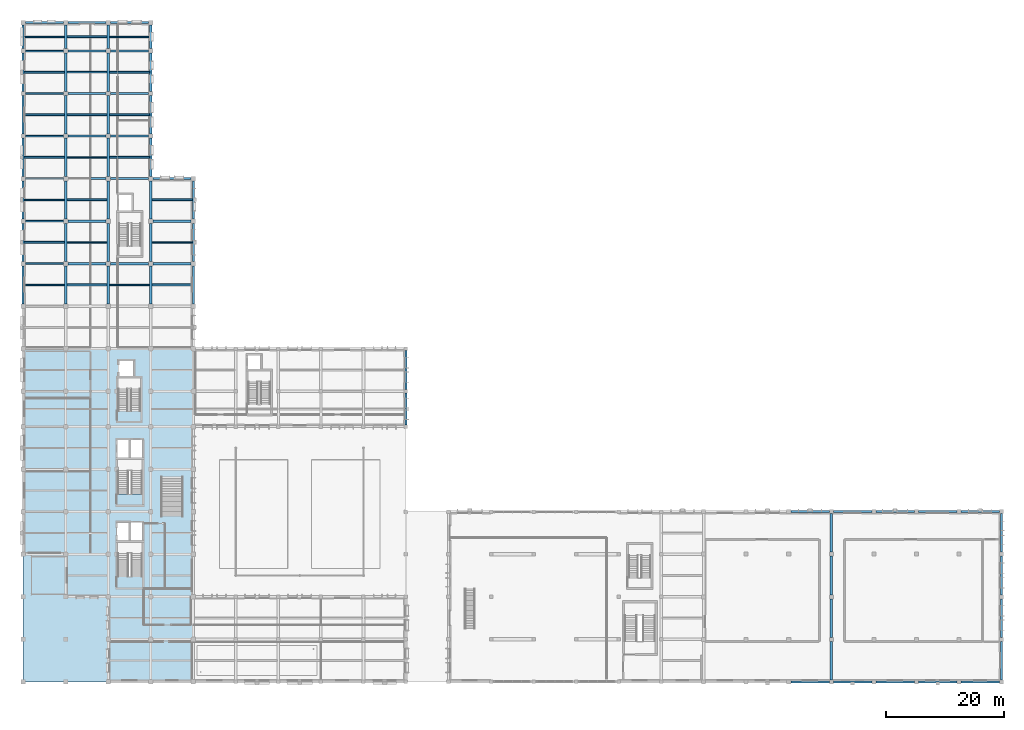
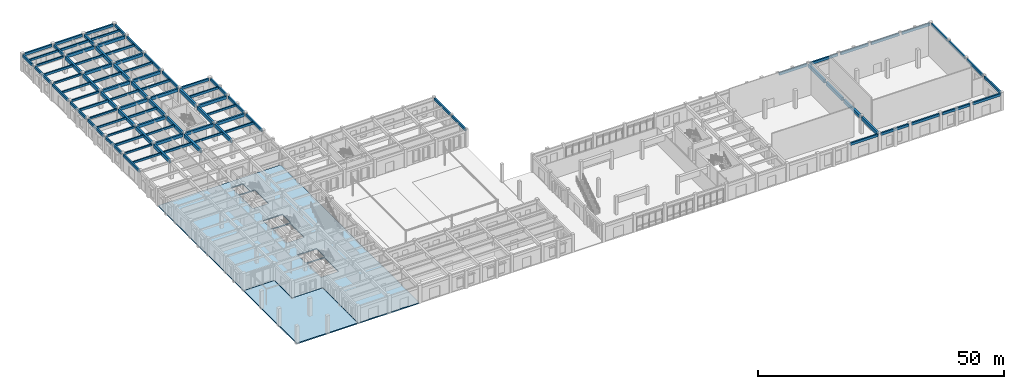
# One storey, part 15 of 43: 96 beams, 2 slabs.
"""IFC4 building model written with IfcOpenShell, lengths in metres."""

from ifc_helpers import new_model, si_unit, direction, frame, origin, origin_2d, place, context, subcontext, project, spatial, polyline, rectangle, outline, extrude, material, layer, layer_set, material_profile, profile_set, type_object, element, save


model = new_model("IFC4")

# Units and contexts
model_context = context("Model", 3, precision=1e-05, world=origin(), true_north=direction((0.0, 1.0)))
body_context = subcontext(model_context, "Body", "Model", "MODEL_VIEW")
ifc_project = project(units=[si_unit("LENGTHUNIT", "METRE"), si_unit("AREAUNIT", "SQUARE_METRE"), si_unit("VOLUMEUNIT", "CUBIC_METRE"), si_unit("PLANEANGLEUNIT", "RADIAN"), si_unit("MASSUNIT", "GRAM", prefix="KILO")], contexts=[model_context])

# Site, building, storey
site_placement = place(None, origin())
site = spatial("IfcSite", under=ifc_project, at=site_placement, CompositionType="ELEMENT")
building_placement = place(site_placement, origin())
building = spatial("IfcBuilding", under=site, at=building_placement, Name="Alvorim Cloister Faculty of Sciences", CompositionType="ELEMENT")
storey_placement = place(building_placement, origin())
storey = spatial("IfcBuildingStorey", under=building, at=storey_placement, Name="L00", CompositionType="ELEMENT", Elevation=0.0)

# Beams
ifc_material = material(Name="Concrete C40", Category="concrete")
ifc_material_profile_1 = material_profile(ifc_material, rectangle(XDim=0.260009765625, YDim=0.5, at=origin_2d()), Name="RC40-JST-260x500")
ifc_profile_set_1 = profile_set([ifc_material_profile_1], Name="Concrete C40")
beam_type_1 = type_object("IfcBeamType", Name="BM-JST-RC-260x500", PredefinedType="JOIST", material=ifc_profile_set_1)
for number, where, z_axis, x_axis, name in (
    (1, (0.175048828125, 67.199951171875, 4.0), (1.0, 0.0, 0.0), (0.0, 1.0, 0.0), "L00 Secondary Floor Joist BM-0820"),
    (2, (0.175048828125, 81.60009765625, 4.0), (1.0, 0.0, 0.0), (0.0, 1.0, 0.0), "L00 Secondary Floor Joist BM-0822"),
    (3, (0.175048828125, 96.0, 4.0), (1.0, 0.0, 0.0), (0.0, 1.0, 0.0), "L00 Secondary Floor Joist BM-0824"),
):
    element("IfcBeam", number, at=place(storey_placement, frame(where, z_axis=z_axis, x_axis=x_axis)), inside=storey, type_object=beam_type_1, Name=name, PredefinedType="JOIST", context=body_context, shape_type="SweptSolid", body=[
        extrude(rectangle(XDim=0.260009765625, YDim=0.5, at=origin_2d()), origin(), (0.0, 0.0, 1.0), 6.800048828125),
    ])
beam_1_placement = place(storey_placement, frame((0.175048828125, 109.199951171875, 4.0), z_axis=(1.0, 0.0, 0.0), x_axis=(0.0, 1.0, 0.0)))
element("IfcBeam", 4, at=beam_1_placement, inside=storey, type_object=beam_type_1, Name="L00 Secondary Floor Joist BM-0826", PredefinedType="JOIST", context=body_context, shape_type="SweptSolid", body=[
    extrude(rectangle(XDim=0.260009765625, YDim=0.5, at=origin_2d()), origin(), (0.0, 0.0, 1.0), 6.8349609375),
])
for number, where, z_axis, x_axis, name in (
    (5, (7.425048828125, 74.39990234375, 4.0), (1.0, 0.0, 0.0), (0.0, 1.0, 0.0), "L00 Secondary Floor Joist BM-0835"),
    (6, (7.425048828125, 88.800048828125, 4.0), (1.0, 0.0, 0.0), (0.0, 1.0, 0.0), "L00 Secondary Floor Joist BM-0837"),
    (7, (7.425048828125, 103.199951171875, 4.0), (1.0, 0.0, 0.0), (0.0, 1.0, 0.0), "L00 Secondary Floor Joist BM-0839"),
    (8, (14.625, 67.199951171875, 4.0), (1.0, 0.0, 0.0), (0.0, 1.0, 0.0), "L00 Secondary Floor Joist BM-0844"),
):
    element("IfcBeam", number, at=place(storey_placement, frame(where, z_axis=z_axis, x_axis=x_axis)), inside=storey, type_object=beam_type_1, Name=name, PredefinedType="JOIST", context=body_context, shape_type="SweptSolid", body=[
        extrude(rectangle(XDim=0.260009765625, YDim=0.5, at=origin_2d()), origin(), (0.0, 0.0, 1.0), 6.75),
    ])
beam_2_placement = place(storey_placement, frame((14.625, 96.0, 4.0), z_axis=(1.0, 0.0, 0.0), x_axis=(0.0, 1.0, 0.0)))
element("IfcBeam", 9, at=beam_2_placement, inside=storey, type_object=beam_type_1, Name="L00 Secondary Floor Joist BM-0846", PredefinedType="JOIST", context=body_context, shape_type="SweptSolid", body=[
    extrude(rectangle(XDim=0.260009765625, YDim=0.5, at=origin_2d()), origin(), (0.0, 0.0, 1.0), 6.800048828125),
])
beam_3_placement = place(storey_placement, frame((14.590087890625, 109.199951171875, 4.0), z_axis=(1.0, 0.0, 0.0), x_axis=(0.0, 1.0, 0.0)))
element("IfcBeam", 10, at=beam_3_placement, inside=storey, type_object=beam_type_1, Name="L00 Secondary Floor Joist BM-0848", PredefinedType="JOIST", context=body_context, shape_type="SweptSolid", body=[
    extrude(rectangle(XDim=0.260009765625, YDim=0.5, at=origin_2d()), origin(), (0.0, 0.0, 1.0), 6.8349609375),
])
beam_4_placement = place(storey_placement, frame((21.824951171875, 74.39990234375, 4.0), z_axis=(1.0, 0.0, 0.0), x_axis=(0.0, 1.0, 0.0)))
element("IfcBeam", 11, at=beam_4_placement, inside=storey, type_object=beam_type_1, Name="L00 Secondary Floor Joist BM-0858", PredefinedType="JOIST", context=body_context, shape_type="SweptSolid", body=[
    extrude(rectangle(XDim=0.260009765625, YDim=0.5, at=origin_2d()), origin(), (0.0, 0.0, 1.0), 6.800048828125),
])
ifc_material_profile_2 = material_profile(ifc_material, rectangle(XDim=0.300048828125, YDim=0.550048828125, at=origin_2d()), Name="RC40-JST-300x550")
ifc_profile_set_2 = profile_set([ifc_material_profile_2], Name="Concrete C40")
beam_type_2 = type_object("IfcBeamType", Name="BM-JST-RC-300x550", PredefinedType="JOIST", material=ifc_profile_set_2)
for number, where, z_axis, x_axis, name in (
    (12, (0.175048828125, 74.39990234375, 3.97509765625), (1.0, 0.0, 0.0), (0.0, 1.0, 0.0), "L00 Secondary Floor Joist BM-0821"),
    (13, (0.175048828125, 88.800048828125, 3.97509765625), (1.0, 0.0, 0.0), (0.0, 1.0, 0.0), "L00 Secondary Floor Joist BM-0823"),
    (14, (0.175048828125, 103.199951171875, 3.97509765625), (1.0, 0.0, 0.0), (0.0, 1.0, 0.0), "L00 Secondary Floor Joist BM-0825"),
):
    element("IfcBeam", number, at=place(storey_placement, frame(where, z_axis=z_axis, x_axis=x_axis)), inside=storey, type_object=beam_type_2, Name=name, PredefinedType="JOIST", context=body_context, shape_type="SweptSolid", body=[
        extrude(rectangle(XDim=0.300048828125, YDim=0.550048828125, at=origin_2d()), origin(), (0.0, 0.0, 1.0), 6.800048828125),
    ])
for number, where, z_axis, x_axis, name in (
    (15, (7.425048828125, 67.199951171875, 3.97509765625), (1.0, 0.0, 0.0), (0.0, 1.0, 0.0), "L00 Secondary Floor Joist BM-0834"),
    (16, (7.425048828125, 81.60009765625, 3.97509765625), (1.0, 0.0, 0.0), (0.0, 1.0, 0.0), "L00 Secondary Floor Joist BM-0836"),
    (17, (7.425048828125, 96.0, 3.97509765625), (1.0, 0.0, 0.0), (0.0, 1.0, 0.0), "L00 Secondary Floor Joist BM-0838"),
):
    element("IfcBeam", number, at=place(storey_placement, frame(where, z_axis=z_axis, x_axis=x_axis)), inside=storey, type_object=beam_type_2, Name=name, PredefinedType="JOIST", context=body_context, shape_type="SweptSolid", body=[
        extrude(rectangle(XDim=0.300048828125, YDim=0.550048828125, at=origin_2d()), origin(), (0.0, 0.0, 1.0), 6.75),
    ])
beam_5_placement = place(storey_placement, frame((7.389892578125, 109.199951171875, 3.97509765625), z_axis=(1.0, 0.0, 0.0), x_axis=(0.0, 1.0, 0.0)))
element("IfcBeam", 18, at=beam_5_placement, inside=storey, type_object=beam_type_2, Name="L00 Secondary Floor Joist BM-0840", PredefinedType="JOIST", context=body_context, shape_type="SweptSolid", body=[
    extrude(rectangle(XDim=0.300048828125, YDim=0.550048828125, at=origin_2d()), origin(), (0.0, 0.0, 1.0), 6.820068359375),
])
for number, where, z_axis, x_axis, name in (
    (19, (14.625, 88.800048828125, 3.97509765625), (1.0, 0.0, 0.0), (0.0, 1.0, 0.0), "L00 Secondary Floor Joist BM-0845"),
    (20, (14.625, 103.199951171875, 3.97509765625), (1.0, 0.0, 0.0), (0.0, 1.0, 0.0), "L00 Secondary Floor Joist BM-0847"),
    (21, (21.824951171875, 67.199951171875, 3.97509765625), (1.0, 0.0, 0.0), (0.0, 1.0, 0.0), "L00 Secondary Floor Joist BM-0857"),
    (22, (21.824951171875, 81.60009765625, 3.97509765625), (1.0, 0.0, 0.0), (0.0, 1.0, 0.0), "L00 Secondary Floor Joist BM-0859"),
):
    element("IfcBeam", number, at=place(storey_placement, frame(where, z_axis=z_axis, x_axis=x_axis)), inside=storey, type_object=beam_type_2, Name=name, PredefinedType="JOIST", context=body_context, shape_type="SweptSolid", body=[
        extrude(rectangle(XDim=0.300048828125, YDim=0.550048828125, at=origin_2d()), origin(), (0.0, 0.0, 1.0), 6.800048828125),
    ])
ifc_material_profile_3 = material_profile(ifc_material, rectangle(XDim=0.300048828125, YDim=0.449951171875, at=origin_2d()), Name="RC40-LNT-300x450")
ifc_profile_set_3 = profile_set([ifc_material_profile_3], Name="Concrete C40")
beam_type_3 = type_object("IfcBeamType", Name="BM-LNT-RC-300x450", PredefinedType="LINTEL", material=ifc_profile_set_3)
for number, where, z_axis, x_axis, name in (
    (23, (0.375, 70.800048828125, 4.02490234375), (1.0, 0.0, 0.0), (0.0, 1.0, 0.0), "L00 Primary Beam BM-0680"),
    (24, (0.375, 78.0, 4.02490234375), (1.0, 0.0, 0.0), (0.0, 1.0, 0.0), "L00 Primary Beam BM-0684"),
    (25, (0.375, 85.199951171875, 4.02490234375), (1.0, 0.0, 0.0), (0.0, 1.0, 0.0), "L00 Primary Beam BM-0687"),
    (26, (0.375, 92.39990234375, 4.02490234375), (1.0, 0.0, 0.0), (0.0, 1.0, 0.0), "L00 Primary Beam BM-0691"),
    (27, (0.375, 99.60009765625, 4.02490234375), (1.0, 0.0, 0.0), (0.0, 1.0, 0.0), "L00 Primary Beam BM-0694"),
    (28, (0.375, 106.800048828125, 4.02490234375), (1.0, 0.0, 0.0), (0.0, 1.0, 0.0), "L00 Primary Beam BM-0697"),
):
    element("IfcBeam", number, at=place(storey_placement, frame(where, z_axis=z_axis, x_axis=x_axis)), inside=storey, type_object=beam_type_3, Name=name, PredefinedType="LINTEL", context=body_context, shape_type="SweptSolid", body=[
        extrude(rectangle(XDim=0.300048828125, YDim=0.449951171875, at=origin_2d()), origin(), (0.0, 0.0, 1.0), 6.449951171875),
    ])
ifc_material_profile_4 = material_profile(ifc_material, rectangle(XDim=0.3798828125, YDim=0.64990234375, at=origin_2d()), Name="RC40-BM-380x650")
ifc_profile_set_4 = profile_set([ifc_material_profile_4], Name="Concrete C40")
beam_type_4 = type_object("IfcBeamType", Name="BM-RC-380x650", PredefinedType="BEAM", material=ifc_profile_set_4)
for number, where, z_axis, x_axis, name in (
    (29, (7.199951171875, 107.175048828125, 3.925048828125), (0.0, 1.0, 0.0), (-1.0, 0.0, 0.0), "L00 Primary Girder BM-0729"),
    (30, (14.39990234375, 107.175048828125, 3.925048828125), (0.0, 1.0, 0.0), (-1.0, 0.0, 0.0), "L00 Primary Girder BM-0745"),
):
    element("IfcBeam", number, at=place(storey_placement, frame(where, z_axis=z_axis, x_axis=x_axis)), inside=storey, type_object=beam_type_4, Name=name, PredefinedType="BEAM", context=body_context, shape_type="SweptSolid", body=[
        extrude(rectangle(XDim=0.3798828125, YDim=0.64990234375, at=origin_2d()), origin(), (0.0, 0.0, 1.0), 4.050048828125),
    ])
ifc_material_profile_5 = material_profile(ifc_material, rectangle(XDim=0.39990234375, YDim=0.75, at=origin_2d()), Name="RC40-BM-400x750")
ifc_profile_set_5 = profile_set([ifc_material_profile_5], Name="Concrete C40")
beam_type_5 = type_object("IfcBeamType", Name="BM-RC-400x750", PredefinedType="BEAM", material=ifc_profile_set_5)
beam_6_placement = place(storey_placement, frame((7.574951171875, 70.800048828125, 3.875), z_axis=(1.0, 0.0, 0.0), x_axis=(0.0, 1.0, 0.0)))
element("IfcBeam", 31, at=beam_6_placement, inside=storey, type_object=beam_type_5, Name="L00 Primary Beam BM-0681", PredefinedType="BEAM", context=body_context, shape_type="SweptSolid", body=[
    extrude(rectangle(XDim=0.39990234375, YDim=0.75, at=origin_2d()), origin(), (0.0, 0.0, 1.0), 6.449951171875),
])
beam_7_placement = place(storey_placement, frame((14.77490234375, 70.800048828125, 3.875), z_axis=(1.0, 0.0, 0.0), x_axis=(0.0, 1.0, 0.0)))
element("IfcBeam", 32, at=beam_7_placement, inside=storey, type_object=beam_type_5, Name="L00 Primary Beam BM-0682", PredefinedType="BEAM", context=body_context, shape_type="SweptSolid", body=[
    extrude(rectangle(XDim=0.39990234375, YDim=0.75, at=origin_2d()), origin(), (0.0, 0.0, 1.0), 6.4501953125),
])
for number, where, z_axis, x_axis, name in (
    (33, (21.97509765625, 70.800048828125, 3.875), (1.0, 0.0, 0.0), (0.0, 1.0, 0.0), "L00 Primary Beam BM-0683"),
    (34, (7.574951171875, 78.0, 3.875), (1.0, 0.0, 0.0), (0.0, 1.0, 0.0), "L00 Primary Beam BM-0685"),
    (35, (21.97509765625, 78.0, 3.875), (1.0, 0.0, 0.0), (0.0, 1.0, 0.0), "L00 Primary Beam BM-0686"),
    (36, (7.574951171875, 85.199951171875, 3.875), (1.0, 0.0, 0.0), (0.0, 1.0, 0.0), "L00 Primary Beam BM-0688"),
):
    element("IfcBeam", number, at=place(storey_placement, frame(where, z_axis=z_axis, x_axis=x_axis)), inside=storey, type_object=beam_type_5, Name=name, PredefinedType="BEAM", context=body_context, shape_type="SweptSolid", body=[
        extrude(rectangle(XDim=0.39990234375, YDim=0.75, at=origin_2d()), origin(), (0.0, 0.0, 1.0), 6.449951171875),
    ])
beam_8_placement = place(storey_placement, frame((14.77490234375, 85.199951171875, 3.875), z_axis=(1.0, 0.0, 0.0), x_axis=(0.0, 1.0, 0.0)))
element("IfcBeam", 37, at=beam_8_placement, inside=storey, type_object=beam_type_5, Name="L00 Primary Beam BM-0689", PredefinedType="BEAM", context=body_context, shape_type="SweptSolid", body=[
    extrude(rectangle(XDim=0.39990234375, YDim=0.75, at=origin_2d()), origin(), (0.0, 0.0, 1.0), 6.4501953125),
])
beam_9_placement = place(storey_placement, frame((7.574951171875, 92.39990234375, 3.875), z_axis=(1.0, 0.0, 0.0), x_axis=(0.0, 1.0, 0.0)))
element("IfcBeam", 38, at=beam_9_placement, inside=storey, type_object=beam_type_5, Name="L00 Primary Beam BM-0692", PredefinedType="BEAM", context=body_context, shape_type="SweptSolid", body=[
    extrude(rectangle(XDim=0.39990234375, YDim=0.75, at=origin_2d()), origin(), (0.0, 0.0, 1.0), 6.449951171875),
])
beam_10_placement = place(storey_placement, frame((14.77490234375, 92.39990234375, 3.875), z_axis=(1.0, 0.0, 0.0), x_axis=(0.0, 1.0, 0.0)))
element("IfcBeam", 39, at=beam_10_placement, inside=storey, type_object=beam_type_5, Name="L00 Primary Beam BM-0693", PredefinedType="BEAM", context=body_context, shape_type="SweptSolid", body=[
    extrude(rectangle(XDim=0.39990234375, YDim=0.75, at=origin_2d()), origin(), (0.0, 0.0, 1.0), 6.4501953125),
])
beam_11_placement = place(storey_placement, frame((7.574951171875, 99.60009765625, 3.875), z_axis=(1.0, 0.0, 0.0), x_axis=(0.0, 1.0, 0.0)))
element("IfcBeam", 40, at=beam_11_placement, inside=storey, type_object=beam_type_5, Name="L00 Primary Beam BM-0695", PredefinedType="BEAM", context=body_context, shape_type="SweptSolid", body=[
    extrude(rectangle(XDim=0.39990234375, YDim=0.75, at=origin_2d()), origin(), (0.0, 0.0, 1.0), 6.449951171875),
])
beam_12_placement = place(storey_placement, frame((14.77490234375, 99.60009765625, 3.875), z_axis=(1.0, 0.0, 0.0), x_axis=(0.0, 1.0, 0.0)))
element("IfcBeam", 41, at=beam_12_placement, inside=storey, type_object=beam_type_5, Name="L00 Primary Beam BM-0696", PredefinedType="BEAM", context=body_context, shape_type="SweptSolid", body=[
    extrude(rectangle(XDim=0.39990234375, YDim=0.75, at=origin_2d()), origin(), (0.0, 0.0, 1.0), 6.4501953125),
])
beam_13_placement = place(storey_placement, frame((7.574951171875, 106.800048828125, 3.875), z_axis=(1.0, 0.0, 0.0), x_axis=(0.0, 1.0, 0.0)))
element("IfcBeam", 42, at=beam_13_placement, inside=storey, type_object=beam_type_5, Name="L00 Primary Beam BM-0698", PredefinedType="BEAM", context=body_context, shape_type="SweptSolid", body=[
    extrude(rectangle(XDim=0.39990234375, YDim=0.75, at=origin_2d()), origin(), (0.0, 0.0, 1.0), 6.449951171875),
])
beam_14_placement = place(storey_placement, frame((14.77490234375, 106.800048828125, 3.875), z_axis=(1.0, 0.0, 0.0), x_axis=(0.0, 1.0, 0.0)))
element("IfcBeam", 43, at=beam_14_placement, inside=storey, type_object=beam_type_5, Name="L00 Primary Beam BM-0699", PredefinedType="BEAM", context=body_context, shape_type="SweptSolid", body=[
    extrude(rectangle(XDim=0.39990234375, YDim=0.75, at=origin_2d()), origin(), (0.0, 0.0, 1.0), 6.4501953125),
])
ifc_material_profile_6 = material_profile(ifc_material, rectangle(XDim=0.449951171875, YDim=0.85009765625, at=origin_2d()), Name="RC40-BM-450x850")
ifc_profile_set_6 = profile_set([ifc_material_profile_6], Name="Concrete C40")
beam_type_6 = type_object("IfcBeamType", Name="BM-RC-450x850", PredefinedType="BEAM", material=ifc_profile_set_6)
for number, where, z_axis, x_axis, name in (
    (44, (7.199951171875, 63.97509765625, 3.824951171875), (0.0, 1.0, 0.0), (-1.0, 0.0, 0.0), "L00 Primary Girder BM-0723"),
    (45, (7.199951171875, 71.175048828125, 3.824951171875), (0.0, 1.0, 0.0), (-1.0, 0.0, 0.0), "L00 Primary Girder BM-0724"),
    (46, (7.199951171875, 78.375, 3.824951171875), (0.0, 1.0, 0.0), (-1.0, 0.0, 0.0), "L00 Primary Girder BM-0725"),
    (47, (7.199951171875, 85.574951171875, 3.824951171875), (0.0, 1.0, 0.0), (-1.0, 0.0, 0.0), "L00 Primary Girder BM-0726"),
):
    element("IfcBeam", number, at=place(storey_placement, frame(where, z_axis=z_axis, x_axis=x_axis)), inside=storey, type_object=beam_type_6, Name=name, PredefinedType="BEAM", context=body_context, shape_type="SweptSolid", body=[
        extrude(rectangle(XDim=0.449951171875, YDim=0.85009765625, at=origin_2d()), origin(), (0.0, 0.0, 1.0), 6.449951171875),
    ])
beam_15_placement = place(storey_placement, frame((7.199951171875, 92.77490234375, 3.824951171875), z_axis=(0.0, 1.0, 0.0), x_axis=(-1.0, 0.0, 0.0)))
element("IfcBeam", 48, at=beam_15_placement, inside=storey, type_object=beam_type_6, Name="L00 Primary Girder BM-0727", PredefinedType="BEAM", context=body_context, shape_type="SweptSolid", body=[
    extrude(rectangle(XDim=0.449951171875, YDim=0.85009765625, at=origin_2d()), origin(), (0.0, 0.0, 1.0), 6.4501953125),
])
for number, where, z_axis, x_axis, name in (
    (49, (7.199951171875, 99.97509765625, 3.824951171875), (0.0, 1.0, 0.0), (-1.0, 0.0, 0.0), "L00 Primary Girder BM-0728"),
    (50, (14.39990234375, 63.97509765625, 3.824951171875), (0.0, 1.0, 0.0), (-1.0, 0.0, 0.0), "L00 Primary Girder BM-0739"),
    (51, (14.39990234375, 71.175048828125, 3.824951171875), (0.0, 1.0, 0.0), (-1.0, 0.0, 0.0), "L00 Primary Girder BM-0740"),
    (52, (14.39990234375, 78.375, 3.824951171875), (0.0, 1.0, 0.0), (-1.0, 0.0, 0.0), "L00 Primary Girder BM-0741"),
    (53, (14.39990234375, 85.574951171875, 3.824951171875), (0.0, 1.0, 0.0), (-1.0, 0.0, 0.0), "L00 Primary Girder BM-0742"),
):
    element("IfcBeam", number, at=place(storey_placement, frame(where, z_axis=z_axis, x_axis=x_axis)), inside=storey, type_object=beam_type_6, Name=name, PredefinedType="BEAM", context=body_context, shape_type="SweptSolid", body=[
        extrude(rectangle(XDim=0.449951171875, YDim=0.85009765625, at=origin_2d()), origin(), (0.0, 0.0, 1.0), 6.449951171875),
    ])
beam_16_placement = place(storey_placement, frame((14.39990234375, 92.77490234375, 3.824951171875), z_axis=(0.0, 1.0, 0.0), x_axis=(-1.0, 0.0, 0.0)))
element("IfcBeam", 54, at=beam_16_placement, inside=storey, type_object=beam_type_6, Name="L00 Primary Girder BM-0743", PredefinedType="BEAM", context=body_context, shape_type="SweptSolid", body=[
    extrude(rectangle(XDim=0.449951171875, YDim=0.85009765625, at=origin_2d()), origin(), (0.0, 0.0, 1.0), 6.4501953125),
])
for number, where, z_axis, x_axis, name in (
    (55, (14.39990234375, 99.97509765625, 3.824951171875), (0.0, 1.0, 0.0), (-1.0, 0.0, 0.0), "L00 Primary Girder BM-0744"),
    (56, (21.60009765625, 63.97509765625, 3.824951171875), (0.0, 1.0, 0.0), (-1.0, 0.0, 0.0), "L00 Primary Girder BM-0755"),
    (57, (21.60009765625, 71.175048828125, 3.824951171875), (0.0, 1.0, 0.0), (-1.0, 0.0, 0.0), "L00 Primary Girder BM-0756"),
    (58, (21.60009765625, 78.375, 3.824951171875), (0.0, 1.0, 0.0), (-1.0, 0.0, 0.0), "L00 Primary Girder BM-0757"),
):
    element("IfcBeam", number, at=place(storey_placement, frame(where, z_axis=z_axis, x_axis=x_axis)), inside=storey, type_object=beam_type_6, Name=name, PredefinedType="BEAM", context=body_context, shape_type="SweptSolid", body=[
        extrude(rectangle(XDim=0.449951171875, YDim=0.85009765625, at=origin_2d()), origin(), (0.0, 0.0, 1.0), 6.449951171875),
    ])
for number, where, z_axis, x_axis, name in (
    (59, (136.800048828125, 0.340087890625, 3.824951171875), (0.0, 1.0, 0.0), (-1.0, 0.0, 0.0), "L00 Primary Girder BM-0806"),
    (60, (136.800048828125, 7.5400390625, 3.824951171875), (0.0, 1.0, 0.0), (-1.0, 0.0, 0.0), "L00 Primary Girder BM-0807"),
    (61, (136.800048828125, 14.739990234375, 3.824951171875), (0.0, 1.0, 0.0), (-1.0, 0.0, 0.0), "L00 Primary Girder BM-0808"),
    (62, (136.800048828125, 21.93994140625, 3.824951171875), (0.0, 1.0, 0.0), (-1.0, 0.0, 0.0), "L00 Primary Girder BM-0809"),
):
    element("IfcBeam", number, at=place(storey_placement, frame(where, z_axis=z_axis, x_axis=x_axis)), inside=storey, type_object=beam_type_6, Name=name, PredefinedType="BEAM", context=body_context, shape_type="SweptSolid", body=[
        extrude(rectangle(XDim=0.449951171875, YDim=0.85009765625, at=origin_2d()), origin(), (0.0, 0.0, 1.0), 6.52001953125),
    ])
ifc_material_profile_7 = material_profile(ifc_material, rectangle(XDim=0.35009765625, YDim=0.6201171875, at=origin_2d()), Name="RC40-SPD-350x620")
ifc_profile_set_7 = profile_set([ifc_material_profile_7], Name="Concrete C40")
beam_type_7 = type_object("IfcBeamType", Name="BM-SPD-RC-350x620", PredefinedType="SPANDREL", material=ifc_profile_set_7)
for number, where, z_axis, x_axis, name in (
    (63, (129.93994140625, 0.0, 3.93994140625), (1.0, 0.0, 0.0), (0.0, 1.0, 0.0), "L00 Primary Beam BM-0606"),
    (64, (137.139892578125, 0.0, 3.93994140625), (1.0, 0.0, 0.0), (0.0, 1.0, 0.0), "L00 Primary Beam BM-0607"),
    (65, (144.340087890625, 0.0, 3.93994140625), (1.0, 0.0, 0.0), (0.0, 1.0, 0.0), "L00 Primary Beam BM-0608"),
    (66, (151.5400390625, 0.0, 3.93994140625), (1.0, 0.0, 0.0), (0.0, 1.0, 0.0), "L00 Primary Beam BM-0609"),
    (67, (158.739990234375, 0.0, 3.93994140625), (1.0, 0.0, 0.0), (0.0, 1.0, 0.0), "L00 Primary Beam BM-0610"),
    (68, (129.93994140625, 28.800048828125, 3.93994140625), (1.0, 0.0, 0.0), (0.0, 1.0, 0.0), "L00 Primary Beam BM-0643"),
    (69, (137.139892578125, 28.800048828125, 3.93994140625), (1.0, 0.0, 0.0), (0.0, 1.0, 0.0), "L00 Primary Beam BM-0644"),
    (70, (144.340087890625, 28.800048828125, 3.93994140625), (1.0, 0.0, 0.0), (0.0, 1.0, 0.0), "L00 Primary Beam BM-0645"),
    (71, (151.5400390625, 28.800048828125, 3.93994140625), (1.0, 0.0, 0.0), (0.0, 1.0, 0.0), "L00 Primary Beam BM-0646"),
    (72, (158.739990234375, 28.800048828125, 3.93994140625), (1.0, 0.0, 0.0), (0.0, 1.0, 0.0), "L00 Primary Beam BM-0647"),
):
    element("IfcBeam", number, at=place(storey_placement, frame(where, z_axis=z_axis, x_axis=x_axis)), inside=storey, type_object=beam_type_7, Name=name, PredefinedType="SPANDREL", context=body_context, shape_type="SweptSolid", body=[
        extrude(rectangle(XDim=0.35009765625, YDim=0.6201171875, at=origin_2d()), origin(), (0.0, 0.0, 1.0), 6.52001953125),
    ])
for number, where, z_axis, x_axis, name in (
    (73, (21.97509765625, 85.199951171875, 3.93994140625), (1.0, 0.0, 0.0), (0.0, 1.0, 0.0), "L00 Primary Beam BM-0690"),
    (74, (0.375, 111.60009765625, 3.93994140625), (1.0, 0.0, 0.0), (0.0, 1.0, 0.0), "L00 Primary Beam BM-0700"),
    (75, (7.574951171875, 111.60009765625, 3.93994140625), (1.0, 0.0, 0.0), (0.0, 1.0, 0.0), "L00 Primary Beam BM-0701"),
):
    element("IfcBeam", number, at=place(storey_placement, frame(where, z_axis=z_axis, x_axis=x_axis)), inside=storey, type_object=beam_type_7, Name=name, PredefinedType="SPANDREL", context=body_context, shape_type="SweptSolid", body=[
        extrude(rectangle(XDim=0.35009765625, YDim=0.6201171875, at=origin_2d()), origin(), (0.0, 0.0, 1.0), 6.449951171875),
    ])
beam_17_placement = place(storey_placement, frame((14.77490234375, 111.60009765625, 3.93994140625), z_axis=(1.0, 0.0, 0.0), x_axis=(0.0, 1.0, 0.0)))
element("IfcBeam", 76, at=beam_17_placement, inside=storey, type_object=beam_type_7, Name="L00 Primary Beam BM-0702", PredefinedType="SPANDREL", context=body_context, shape_type="SweptSolid", body=[
    extrude(rectangle(XDim=0.35009765625, YDim=0.6201171875, at=origin_2d()), origin(), (0.0, 0.0, 1.0), 6.4501953125),
])
for number, where, z_axis, x_axis, name in (
    (77, (0.0, 63.97509765625, 3.93994140625), (0.0, 1.0, 0.0), (-1.0, 0.0, 0.0), "L00 Primary Girder BM-0709"),
    (78, (0.0, 71.175048828125, 3.93994140625), (0.0, 1.0, 0.0), (-1.0, 0.0, 0.0), "L00 Primary Girder BM-0710"),
    (79, (0.0, 78.375, 3.93994140625), (0.0, 1.0, 0.0), (-1.0, 0.0, 0.0), "L00 Primary Girder BM-0711"),
    (80, (0.0, 85.574951171875, 3.93994140625), (0.0, 1.0, 0.0), (-1.0, 0.0, 0.0), "L00 Primary Girder BM-0712"),
):
    element("IfcBeam", number, at=place(storey_placement, frame(where, z_axis=z_axis, x_axis=x_axis)), inside=storey, type_object=beam_type_7, Name=name, PredefinedType="SPANDREL", context=body_context, shape_type="SweptSolid", body=[
        extrude(rectangle(XDim=0.35009765625, YDim=0.6201171875, at=origin_2d()), origin(), (0.0, 0.0, 1.0), 6.449951171875),
    ])
beam_18_placement = place(storey_placement, frame((0.0, 92.77490234375, 3.93994140625), z_axis=(0.0, 1.0, 0.0), x_axis=(-1.0, 0.0, 0.0)))
element("IfcBeam", 81, at=beam_18_placement, inside=storey, type_object=beam_type_7, Name="L00 Primary Girder BM-0713", PredefinedType="SPANDREL", context=body_context, shape_type="SweptSolid", body=[
    extrude(rectangle(XDim=0.35009765625, YDim=0.6201171875, at=origin_2d()), origin(), (0.0, 0.0, 1.0), 6.4501953125),
])
beam_19_placement = place(storey_placement, frame((0.0, 99.97509765625, 3.93994140625), z_axis=(0.0, 1.0, 0.0), x_axis=(-1.0, 0.0, 0.0)))
element("IfcBeam", 82, at=beam_19_placement, inside=storey, type_object=beam_type_7, Name="L00 Primary Girder BM-0714", PredefinedType="SPANDREL", context=body_context, shape_type="SweptSolid", body=[
    extrude(rectangle(XDim=0.35009765625, YDim=0.6201171875, at=origin_2d()), origin(), (0.0, 0.0, 1.0), 6.449951171875),
])
beam_20_placement = place(storey_placement, frame((0.0, 107.175048828125, 3.93994140625), z_axis=(0.0, 1.0, 0.0), x_axis=(-1.0, 0.0, 0.0)))
element("IfcBeam", 83, at=beam_20_placement, inside=storey, type_object=beam_type_7, Name="L00 Primary Girder BM-0715", PredefinedType="SPANDREL", context=body_context, shape_type="SweptSolid", body=[
    extrude(rectangle(XDim=0.35009765625, YDim=0.6201171875, at=origin_2d()), origin(), (0.0, 0.0, 1.0), 4.050048828125),
])
beam_21_placement = place(storey_placement, frame((21.60009765625, 85.574951171875, 3.93994140625), z_axis=(0.0, 1.0, 0.0), x_axis=(-1.0, 0.0, 0.0)))
element("IfcBeam", 84, at=beam_21_placement, inside=storey, type_object=beam_type_7, Name="L00 Primary Girder BM-0758", PredefinedType="SPANDREL", context=body_context, shape_type="SweptSolid", body=[
    extrude(rectangle(XDim=0.35009765625, YDim=0.6201171875, at=origin_2d()), origin(), (0.0, 0.0, 1.0), 6.449951171875),
])
beam_22_placement = place(storey_placement, frame((21.60009765625, 92.77490234375, 3.93994140625), z_axis=(0.0, 1.0, 0.0), x_axis=(-1.0, 0.0, 0.0)))
element("IfcBeam", 85, at=beam_22_placement, inside=storey, type_object=beam_type_7, Name="L00 Primary Girder BM-0759", PredefinedType="SPANDREL", context=body_context, shape_type="SweptSolid", body=[
    extrude(rectangle(XDim=0.35009765625, YDim=0.6201171875, at=origin_2d()), origin(), (0.0, 0.0, 1.0), 6.4501953125),
])
beam_23_placement = place(storey_placement, frame((21.60009765625, 99.97509765625, 3.93994140625), z_axis=(0.0, 1.0, 0.0), x_axis=(-1.0, 0.0, 0.0)))
element("IfcBeam", 86, at=beam_23_placement, inside=storey, type_object=beam_type_7, Name="L00 Primary Girder BM-0760", PredefinedType="SPANDREL", context=body_context, shape_type="SweptSolid", body=[
    extrude(rectangle(XDim=0.35009765625, YDim=0.6201171875, at=origin_2d()), origin(), (0.0, 0.0, 1.0), 6.449951171875),
])
beam_24_placement = place(storey_placement, frame((21.60009765625, 107.175048828125, 3.93994140625), z_axis=(0.0, 1.0, 0.0), x_axis=(-1.0, 0.0, 0.0)))
element("IfcBeam", 87, at=beam_24_placement, inside=storey, type_object=beam_type_7, Name="L00 Primary Girder BM-0761", PredefinedType="SPANDREL", context=body_context, shape_type="SweptSolid", body=[
    extrude(rectangle(XDim=0.35009765625, YDim=0.6201171875, at=origin_2d()), origin(), (0.0, 0.0, 1.0), 4.050048828125),
])
for number, where, z_axis, x_axis, name in (
    (88, (28.800048828125, 63.97509765625, 3.93994140625), (0.0, 1.0, 0.0), (-1.0, 0.0, 0.0), "L00 Primary Girder BM-0771"),
    (89, (28.800048828125, 71.175048828125, 3.93994140625), (0.0, 1.0, 0.0), (-1.0, 0.0, 0.0), "L00 Primary Girder BM-0772"),
    (90, (28.800048828125, 78.375, 3.93994140625), (0.0, 1.0, 0.0), (-1.0, 0.0, 0.0), "L00 Primary Girder BM-0773"),
):
    element("IfcBeam", number, at=place(storey_placement, frame(where, z_axis=z_axis, x_axis=x_axis)), inside=storey, type_object=beam_type_7, Name=name, PredefinedType="SPANDREL", context=body_context, shape_type="SweptSolid", body=[
        extrude(rectangle(XDim=0.35009765625, YDim=0.6201171875, at=origin_2d()), origin(), (0.0, 0.0, 1.0), 6.449951171875),
    ])
beam_25_placement = place(storey_placement, frame((64.800048828125, 43.5, 3.93994140625), z_axis=(0.0, 1.0, 0.0), x_axis=(-1.0, 0.0, 0.0)))
element("IfcBeam", 91, at=beam_25_placement, inside=storey, type_object=beam_type_7, Name="L00 Primary Girder BM-0792", PredefinedType="SPANDREL", context=body_context, shape_type="SweptSolid", body=[
    extrude(rectangle(XDim=0.35009765625, YDim=0.6201171875, at=origin_2d()), origin(), (0.0, 0.0, 1.0), 5.39990234375),
])
beam_26_placement = place(storey_placement, frame((64.800048828125, 49.5, 3.93994140625), z_axis=(0.0, 1.0, 0.0), x_axis=(-1.0, 0.0, 0.0)))
element("IfcBeam", 92, at=beam_26_placement, inside=storey, type_object=beam_type_7, Name="L00 Primary Girder BM-0793", PredefinedType="SPANDREL", context=body_context, shape_type="SweptSolid", body=[
    extrude(rectangle(XDim=0.35009765625, YDim=0.6201171875, at=origin_2d()), origin(), (0.0, 0.0, 1.0), 6.60009765625),
])
for number, where, z_axis, x_axis, name in (
    (93, (165.60009765625, 0.340087890625, 3.93994140625), (0.0, 1.0, 0.0), (-1.0, 0.0, 0.0), "L00 Primary Girder BM-0810"),
    (94, (165.60009765625, 7.5400390625, 3.93994140625), (0.0, 1.0, 0.0), (-1.0, 0.0, 0.0), "L00 Primary Girder BM-0811"),
    (95, (165.60009765625, 14.739990234375, 3.93994140625), (0.0, 1.0, 0.0), (-1.0, 0.0, 0.0), "L00 Primary Girder BM-0812"),
    (96, (165.60009765625, 21.93994140625, 3.93994140625), (0.0, 1.0, 0.0), (-1.0, 0.0, 0.0), "L00 Primary Girder BM-0813"),
):
    element("IfcBeam", number, at=place(storey_placement, frame(where, z_axis=z_axis, x_axis=x_axis)), inside=storey, type_object=beam_type_7, Name=name, PredefinedType="SPANDREL", context=body_context, shape_type="SweptSolid", body=[
        extrude(rectangle(XDim=0.35009765625, YDim=0.6201171875, at=origin_2d()), origin(), (0.0, 0.0, 1.0), 6.52001953125),
    ])

# Slabs
ifc_layer_1 = layer(ifc_material, 0.260009765625)
ifc_layer_set_1 = layer_set([ifc_layer_1], Name="Concrete C40")
slab_type_1 = type_object("IfcSlabType", Name="SL-RC-260", PredefinedType="FLOOR", material=ifc_layer_set_1)
slab_1_placement = place(storey_placement, frame((0.0, 0.0, -0.260009765625)))
element("IfcSlab", 97, at=slab_1_placement, inside=storey, type_object=slab_type_1, Name="L00 V5 Structural Slab 6", PredefinedType="FLOOR", context=body_context, shape_type="SweptSolid", body=[
    extrude(outline(polyline([(14.405029296875, 0.0048828125), (14.405029296875, 14.405029296875), (7.205078125, 14.405029296875), (7.205078125, 21.60498046875), (0.0048828125, 21.60498046875), (0.0048828125, 56.39501953125), (28.794921875, 56.39501953125), (28.794921875, 0.0048828125), (14.405029296875, 0.0048828125)]), holes=[polyline([(16.0, 23.60009765625), (16.0, 17.81005859375), (20.1201171875, 17.81005859375), (20.1201171875, 23.60009765625), (16.0, 23.60009765625)]), polyline([(18.06005859375, 23.800048828125), (20.320068359375, 23.800048828125), (20.320068359375, 27.10009765625), (18.06005859375, 27.10009765625), (15.800048828125, 27.10009765625), (15.800048828125, 23.800048828125), (18.06005859375, 23.800048828125)]), polyline([(20.1201171875, 37.60009765625), (16.0, 37.60009765625), (16.0, 31.81005859375), (20.1201171875, 31.81005859375), (20.1201171875, 37.60009765625)]), polyline([(18.06005859375, 37.800048828125), (20.320068359375, 37.800048828125), (20.320068359375, 41.10009765625), (18.06005859375, 41.10009765625), (15.800048828125, 41.10009765625), (15.800048828125, 37.800048828125), (18.06005859375, 37.800048828125)]), polyline([(19.820068359375, 51.39990234375), (16.10009765625, 51.39990234375), (16.10009765625, 45.830078125), (19.820068359375, 45.830078125), (19.820068359375, 51.39990234375)]), polyline([(18.800048828125, 54.5), (16.10009765625, 54.5), (16.10009765625, 51.60009765625), (18.800048828125, 51.60009765625), (18.800048828125, 54.5)])]), origin(), (0.0, 0.0, 1.0), 0.260009765625),
])
ifc_layer_2 = layer(ifc_material, 0.260009765625)
ifc_layer_set_2 = layer_set([ifc_layer_2], Name="Concrete C40")
slab_type_2 = type_object("IfcSlabType", Name="SL-TER-260", PredefinedType="USERDEFINED", material=ifc_layer_set_2)
slab_2_placement = place(storey_placement, frame((0.0, 0.0, -0.260009765625)))
element("IfcSlab", 98, at=slab_2_placement, inside=storey, type_object=slab_type_2, Name="L00 Corner Entrance Forecourt and Atrium Plaza", ObjectType="TERRACE DECK", PredefinedType="USERDEFINED", context=body_context, shape_type="SweptSolid", body=[
    extrude(outline(polyline([(14.340087890625, 0.0), (0.0, 0.0), (0.0, 14.340087890625), (0.0, 21.5400390625), (7.139892578125, 21.5400390625), (7.139892578125, 14.340087890625), (14.340087890625, 14.340087890625), (14.340087890625, 0.0)])), origin(), (0.0, 0.0, 1.0), 0.260009765625),
])

save(model, "model.ifc")
